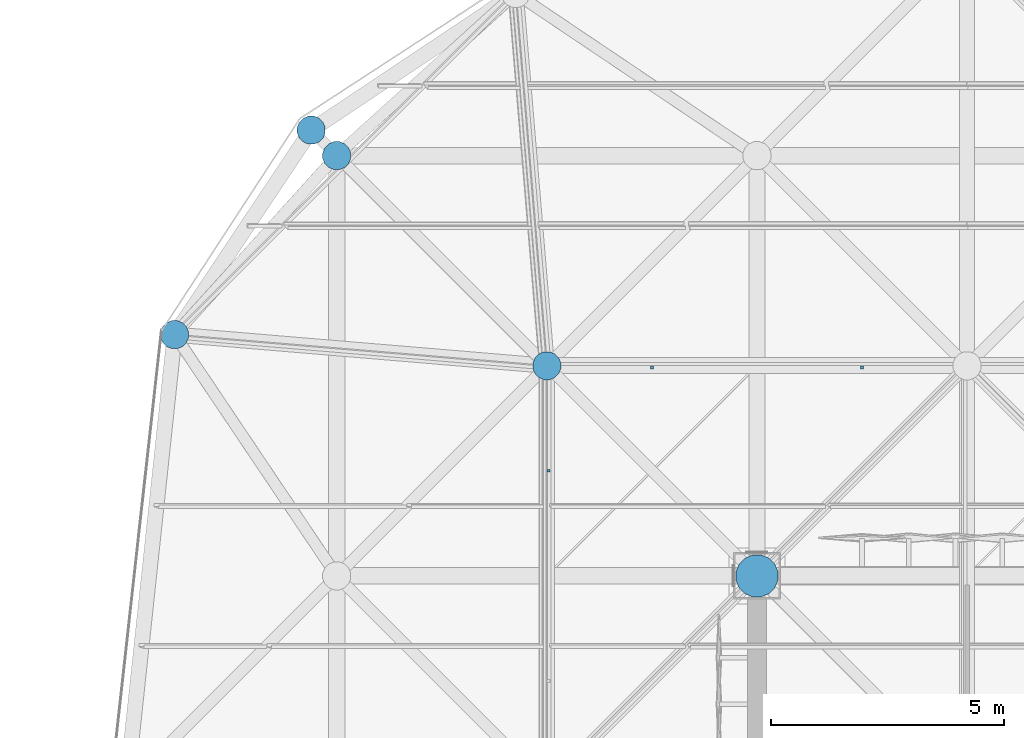
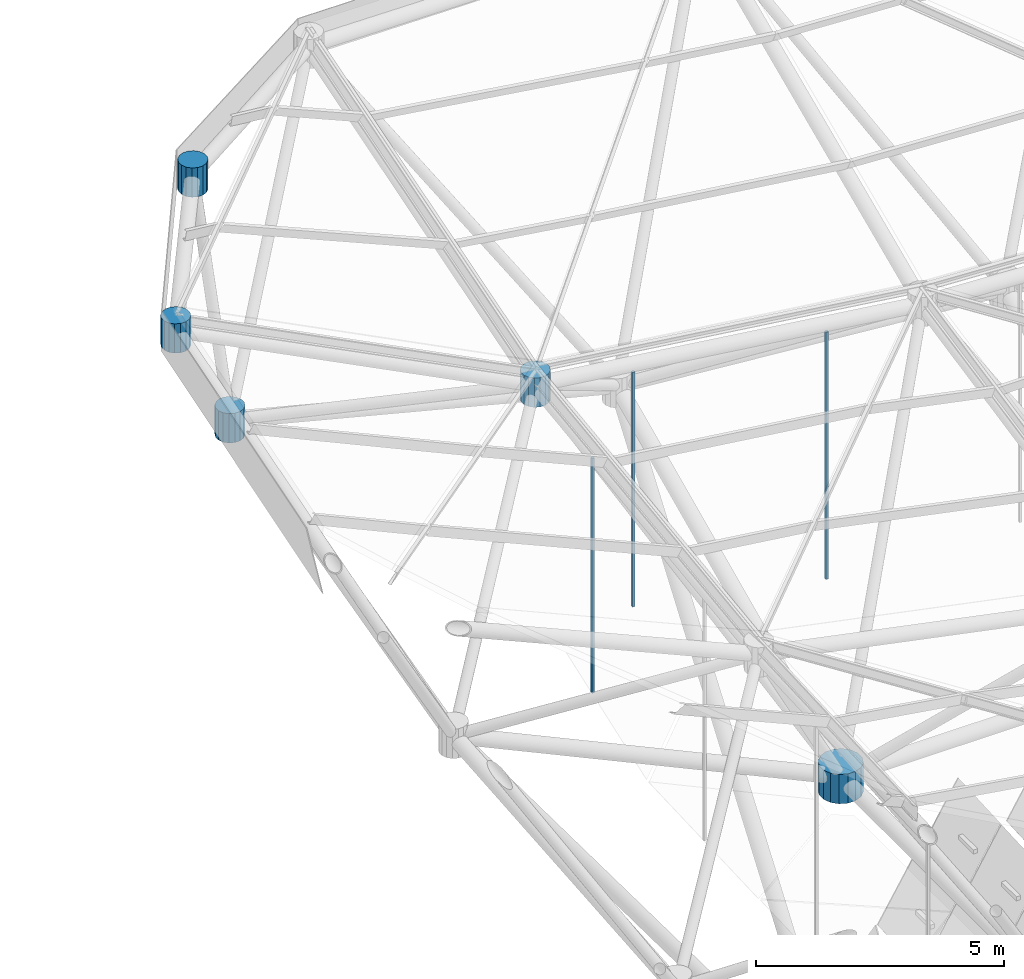
# One storey, part 317 of 437: 8 discrete accessories.
"""IFC4 building model written with IfcOpenShell, lengths in metres."""

from ifc_helpers import new_model, si_unit, direction, frame, origin, place, context, subcontext, project, spatial, polyline, outline, extrude, material, type_object, element, save


model = new_model("IFC4")

# Units and contexts
model_context = context("Model", 3, precision=1e-05, world=origin(), true_north=direction((0.0, 1.0)))
body_context = subcontext(model_context, "Body", "Model", "MODEL_VIEW")
ifc_project = project(units=[si_unit("LENGTHUNIT", "METRE"), si_unit("AREAUNIT", "SQUARE_METRE"), si_unit("VOLUMEUNIT", "CUBIC_METRE"), si_unit("PLANEANGLEUNIT", "RADIAN"), si_unit("MASSUNIT", "GRAM", prefix="KILO")], contexts=[model_context])

# Site, building, storey
site_placement = place(None, origin())
site = spatial("IfcSite", under=ifc_project, at=site_placement, CompositionType="ELEMENT")
building_placement = place(site_placement, origin())
building = spatial("IfcBuilding", under=site, at=building_placement, Name="Opaline Strait Convention Centre", CompositionType="ELEMENT")
storey_placement = place(building_placement, frame((0.0, 0.0, 11.5)))
storey = spatial("IfcBuildingStorey", under=building, at=storey_placement, Name="L02", CompositionType="ELEMENT", Elevation=11.5)

# Discrete accessories
ifc_material_1 = material(Name="Steel Q355B", Category="steel")
discrete_accessory_type_1 = type_object("IfcDiscreteAccessoryType", Name="Soffit hanger 60x60 steel", PredefinedType="BRACKET", material=ifc_material_1)
discrete_accessory_1_placement = place(storey_placement, frame((0.0, 0.0, 14.756591796875)))
element("IfcDiscreteAccessory", 1, at=discrete_accessory_1_placement, inside=storey, type_object=discrete_accessory_type_1, Name="Soffit hanger", PredefinedType="BRACKET", context=body_context, shape_type="SweptSolid", body=[
    extrude(outline(polyline([(96.719970703125, 157.43505859375), (96.780029296875, 157.43505859375), (96.780029296875, 157.4951171875), (96.719970703125, 157.4951171875), (96.719970703125, 157.43505859375)])), origin(), (0.0, 0.0, 1.0), 5.76904296875),
])
discrete_accessory_2_placement = place(storey_placement, frame((0.0, 0.0, 14.756591796875)))
element("IfcDiscreteAccessory", 2, at=discrete_accessory_2_placement, inside=storey, type_object=discrete_accessory_type_1, Name="Soffit hanger", PredefinedType="BRACKET", context=body_context, shape_type="SweptSolid", body=[
    extrude(outline(polyline([(94.5048828125, 155.219970703125), (94.56494140625, 155.219970703125), (94.56494140625, 155.280029296875), (94.5048828125, 155.280029296875), (94.5048828125, 155.219970703125)])), origin(), (0.0, 0.0, 1.0), 5.76904296875),
])
discrete_accessory_3_placement = place(storey_placement, frame((0.0, 0.0, 13.85888671875)))
element("IfcDiscreteAccessory", 3, at=discrete_accessory_3_placement, inside=storey, type_object=discrete_accessory_type_1, Name="Soffit hanger", PredefinedType="BRACKET", context=body_context, shape_type="SweptSolid", body=[
    extrude(outline(polyline([(101.219970703125, 157.43505859375), (101.280029296875, 157.43505859375), (101.280029296875, 157.4951171875), (101.219970703125, 157.4951171875), (101.219970703125, 157.43505859375)])), origin(), (0.0, 0.0, 1.0), 6.080810546875),
])
ifc_material_2 = material(Name="Cast steel ZG300-500H (300 MPa)", Category="steel")
discrete_accessory_type_2 = type_object("IfcDiscreteAccessoryType", Name="Space frame bearing node hub D900", PredefinedType="USERDEFINED", material=ifc_material_2)
discrete_accessory_4_placement = place(storey_placement, frame((0.0, 0.0, 12.139892578125)))
element("IfcDiscreteAccessory", 4, at=discrete_accessory_4_placement, inside=storey, type_object=discrete_accessory_type_2, Name="Bottom node 2/13", ObjectType="NODE HUB", PredefinedType="USERDEFINED", context=body_context, shape_type="SweptSolid", body=[
    extrude(outline(polyline([(99.449951171875, 153.089599609375), (99.381591796875, 153.2548828125), (99.2548828125, 153.381591796875), (99.089599609375, 153.449951171875), (98.910400390625, 153.449951171875), (98.7451171875, 153.381591796875), (98.618408203125, 153.2548828125), (98.550048828125, 153.089599609375), (98.550048828125, 152.910400390625), (98.618408203125, 152.7451171875), (98.7451171875, 152.618408203125), (98.910400390625, 152.550048828125), (99.089599609375, 152.550048828125), (99.2548828125, 152.618408203125), (99.381591796875, 152.7451171875), (99.449951171875, 152.910400390625), (99.449951171875, 153.089599609375)])), origin(), (0.0, 0.0, 1.0), 0.72021484375),
])
discrete_accessory_type_3 = type_object("IfcDiscreteAccessoryType", Name="Space frame node hub D600", PredefinedType="USERDEFINED", material=ifc_material_2)
discrete_accessory_5_placement = place(storey_placement, frame((0.0, 0.0, 24.340087890625)))
element("IfcDiscreteAccessory", 5, at=discrete_accessory_5_placement, inside=storey, type_object=discrete_accessory_type_3, Name="Top node 1/14", ObjectType="NODE HUB", PredefinedType="USERDEFINED", context=body_context, shape_type="SweptSolid", body=[
    extrude(outline(polyline([(86.82763671875, 158.225830078125), (86.781982421875, 158.336181640625), (86.697509765625, 158.420654296875), (86.58740234375, 158.46630859375), (86.468017578125, 158.46630859375), (86.357666015625, 158.420654296875), (86.273193359375, 158.336181640625), (86.2275390625, 158.225830078125), (86.2275390625, 158.106689453125), (86.273193359375, 157.996337890625), (86.357666015625, 157.911865234375), (86.468017578125, 157.8662109375), (86.58740234375, 157.8662109375), (86.697509765625, 157.911865234375), (86.781982421875, 157.996337890625), (86.82763671875, 158.106689453125), (86.82763671875, 158.225830078125)])), origin(), (0.0, 0.0, 1.0), 0.719970703125),
])
discrete_accessory_6_placement = place(storey_placement, frame((0.0, 0.0, 24.490478515625)))
element("IfcDiscreteAccessory", 6, at=discrete_accessory_6_placement, inside=storey, type_object=discrete_accessory_type_3, Name="Top node 1/15", ObjectType="NODE HUB", PredefinedType="USERDEFINED", context=body_context, shape_type="SweptSolid", body=[
    extrude(outline(polyline([(89.754150390625, 162.605712890625), (89.70849609375, 162.7158203125), (89.6240234375, 162.80029296875), (89.513671875, 162.845947265625), (89.394287109375, 162.845947265625), (89.2841796875, 162.80029296875), (89.19970703125, 162.7158203125), (89.154052734375, 162.605712890625), (89.154052734375, 162.486328125), (89.19970703125, 162.3759765625), (89.2841796875, 162.29150390625), (89.394287109375, 162.245849609375), (89.513671875, 162.245849609375), (89.6240234375, 162.29150390625), (89.70849609375, 162.3759765625), (89.754150390625, 162.486328125), (89.754150390625, 162.605712890625)])), origin(), (0.0, 0.0, 1.0), 0.719970703125),
])
discrete_accessory_7_placement = place(storey_placement, frame((0.0, 0.0, 20.62109375)))
element("IfcDiscreteAccessory", 7, at=discrete_accessory_7_placement, inside=storey, type_object=discrete_accessory_type_3, Name="Top node 2/14", ObjectType="NODE HUB", PredefinedType="USERDEFINED", context=body_context, shape_type="SweptSolid", body=[
    extrude(outline(polyline([(94.800048828125, 157.559814453125), (94.75439453125, 157.669921875), (94.669921875, 157.75439453125), (94.559814453125, 157.800048828125), (94.440185546875, 157.800048828125), (94.330078125, 157.75439453125), (94.24560546875, 157.669921875), (94.199951171875, 157.559814453125), (94.199951171875, 157.440185546875), (94.24560546875, 157.330078125), (94.330078125, 157.24560546875), (94.440185546875, 157.199951171875), (94.559814453125, 157.199951171875), (94.669921875, 157.24560546875), (94.75439453125, 157.330078125), (94.800048828125, 157.440185546875), (94.800048828125, 157.559814453125)])), origin(), (0.0, 0.0, 1.0), 0.719970703125),
])
discrete_accessory_8_placement = place(storey_placement, frame((0.0, 0.0, 18.592041015625)))
element("IfcDiscreteAccessory", 8, at=discrete_accessory_8_placement, inside=storey, type_object=discrete_accessory_type_3, Name="Bottom node 1/14", ObjectType="NODE HUB", PredefinedType="USERDEFINED", context=body_context, shape_type="SweptSolid", body=[
    extrude(outline(polyline([(90.300048828125, 162.059814453125), (90.25439453125, 162.169921875), (90.169921875, 162.25439453125), (90.059814453125, 162.300048828125), (89.940185546875, 162.300048828125), (89.830078125, 162.25439453125), (89.74560546875, 162.169921875), (89.699951171875, 162.059814453125), (89.699951171875, 161.940185546875), (89.74560546875, 161.830078125), (89.830078125, 161.74560546875), (89.940185546875, 161.699951171875), (90.059814453125, 161.699951171875), (90.169921875, 161.74560546875), (90.25439453125, 161.830078125), (90.300048828125, 161.940185546875), (90.300048828125, 162.059814453125)])), origin(), (0.0, 0.0, 1.0), 0.719970703125),
])

save(model, "model.ifc")
